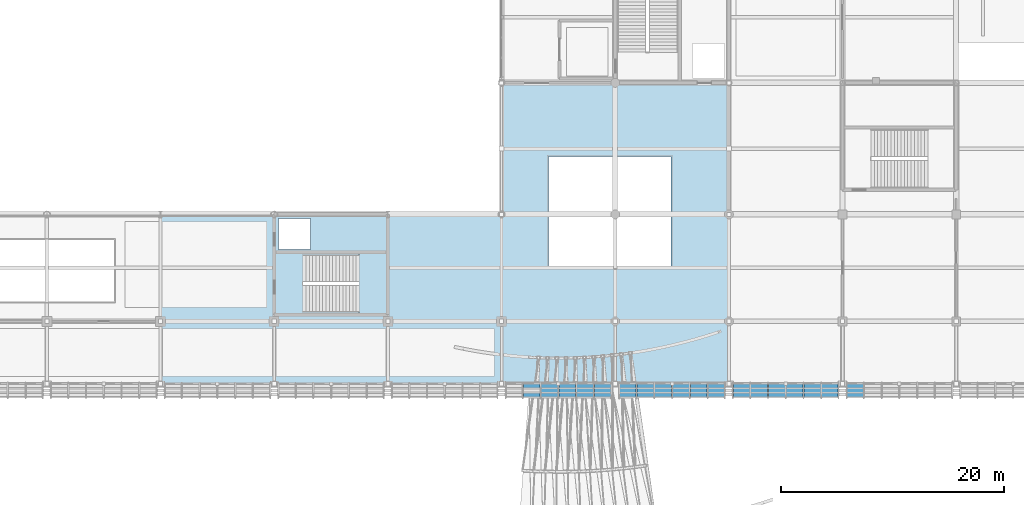
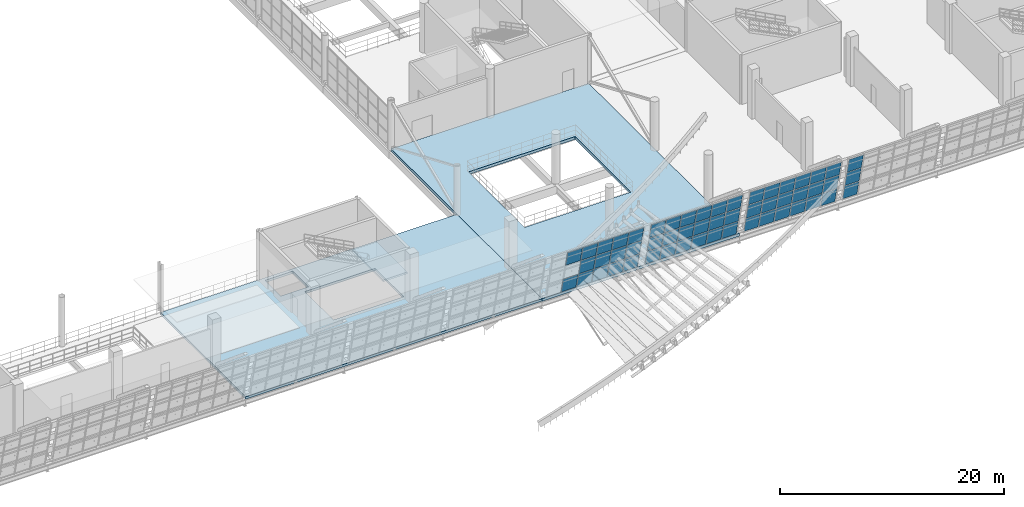
# One storey, part 112 of 175: 53 plates, 3 slabs, 5 elements without a shape of their own.
"""IFC4 building model written with IfcOpenShell, lengths in metres."""

from ifc_helpers import new_model, si_unit, direction, frame, origin, place, context, subcontext, project, spatial, polyline, outline, extrude, material, layer, layer_set, type_object, element, aggregate, save


model = new_model("IFC4")

# Units and contexts
model_context = context("Model", 3, precision=1e-05, world=origin(), true_north=direction((0.0, 1.0)))
body_context = subcontext(model_context, "Body", "Model", "MODEL_VIEW")
ifc_project = project(units=[si_unit("LENGTHUNIT", "METRE"), si_unit("AREAUNIT", "SQUARE_METRE"), si_unit("VOLUMEUNIT", "CUBIC_METRE"), si_unit("PLANEANGLEUNIT", "RADIAN"), si_unit("MASSUNIT", "GRAM", prefix="KILO")], contexts=[model_context])

# Site, building, storey
site_placement = place(None, origin())
site = spatial("IfcSite", under=ifc_project, at=site_placement, CompositionType="ELEMENT")
building_placement = place(site_placement, origin())
building = spatial("IfcBuilding", under=site, at=building_placement, Name="Brelvane Convention Centre", CompositionType="ELEMENT")
storey_placement = place(building_placement, frame((0.0, 0.0, 5.39990234375)))
storey = spatial("IfcBuildingStorey", under=building, at=storey_placement, Name="L01", CompositionType="ELEMENT", Elevation=5.39990234375)

# Curtain wall, plates
ifc_material_1 = material(Name="Anodised Aluminium Alloy 6063-T6", Category="aluminium")
curtain_wall_type = type_object("IfcCurtainWallType", Name="Curtain Wall CW-HULL-S", PredefinedType="USERDEFINED", material=ifc_material_1)
curtain_wall_1_placement = place(storey_placement, origin())
curtain_wall_1 = element("IfcCurtainWall", 1, at=curtain_wall_1_placement, inside=storey, type_object=curtain_wall_type, Name="Curtain Wall CW-HULL-S L01-HULL-S-L01-15", ObjectType="UNITISED", PredefinedType="USERDEFINED")
ifc_material_2 = material(Name="Double Glazed Low-E Laminated Unit")
ifc_layer_1 = layer(ifc_material_2, 0.031982421875)
ifc_layer_set_1 = layer_set([ifc_layer_1], Name="Double Glazed Low-E Laminated Unit")
plate_type_1 = type_object("IfcPlateType", Name="Curtain Panel CW-PG1", PredefinedType="CURTAIN_PANEL", material=ifc_layer_set_1)
plate_1_placement = place(storey_placement, frame((144.75341796875, 12.785400390625, 3.473388671875), z_axis=(0.0, 0.973577021422, 0.228358891569), x_axis=(1.0, 0.0, 0.0)))
plate_1 = element("IfcPlate", 2, at=plate_1_placement, type_object=plate_type_1, Name="CW-HULL-S panel 2.3", PredefinedType="CURTAIN_PANEL", context=body_context, shape_type="SweptSolid", body=[
    extrude(outline(polyline([(0.0, 0.0), (1.51318359375, 0.0), (1.51318359375, -1.640013735294975), (0.0, -1.640013735294975), (0.0, 0.0)])), origin(), (0.0, 0.0, -1.0), 0.031982421875),
])
plate_2_placement = place(storey_placement, frame((146.3466796875, 13.18798828125, 1.7568359375), z_axis=(0.0, 0.973584535906, 0.228326852222), x_axis=(1.0, 0.0, 0.0)))
plate_2 = element("IfcPlate", 3, at=plate_2_placement, type_object=plate_type_1, Name="CW-HULL-S panel 3.2", PredefinedType="CURTAIN_PANEL", context=body_context, shape_type="SweptSolid", body=[
    extrude(outline(polyline([(0.0, 0.0), (1.513427734375, 0.0), (1.513427734375, -1.680875721647406), (0.0, -1.680875721647406), (0.0, 0.0)])), origin(), (0.0, 0.0, -1.0), 0.031982421875),
])
plate_3_placement = place(storey_placement, frame((146.3466796875, 12.785400390625, 3.473388671875), z_axis=(0.0, 0.973577021422, 0.228358891569), x_axis=(1.0, 0.0, 0.0)))
plate_3 = element("IfcPlate", 4, at=plate_3_placement, type_object=plate_type_1, Name="CW-HULL-S panel 3.3", PredefinedType="CURTAIN_PANEL", context=body_context, shape_type="SweptSolid", body=[
    extrude(outline(polyline([(0.0, 0.0), (1.513427734375, 0.0), (1.513427734375, -1.6400137352949753), (0.0, -1.6400137352949753), (0.0, 0.0)])), origin(), (0.0, 0.0, -1.0), 0.031982421875),
])
plate_4_placement = place(storey_placement, frame((147.93994140625, 13.18798828125, 1.7568359375), z_axis=(0.0, 0.973584535906, 0.228326852222), x_axis=(1.0, 0.0, 0.0)))
plate_4 = element("IfcPlate", 5, at=plate_4_placement, type_object=plate_type_1, Name="CW-HULL-S panel 4.2", PredefinedType="CURTAIN_PANEL", context=body_context, shape_type="SweptSolid", body=[
    extrude(outline(polyline([(0.0, 0.0), (1.513427734375, 0.0), (1.513427734375, -1.680875721647406), (0.0, -1.680875721647406), (0.0, 0.0)])), origin(), (0.0, 0.0, -1.0), 0.031982421875),
])
plate_5_placement = place(storey_placement, frame((147.93994140625, 12.785400390625, 3.473388671875), z_axis=(0.0, 0.973577021422, 0.228358891569), x_axis=(1.0, 0.0, 0.0)))
plate_5 = element("IfcPlate", 6, at=plate_5_placement, type_object=plate_type_1, Name="CW-HULL-S panel 4.3", PredefinedType="CURTAIN_PANEL", context=body_context, shape_type="SweptSolid", body=[
    extrude(outline(polyline([(0.0, 0.0), (1.513427734375, 0.0), (1.513427734375, -1.6400137352949753), (0.0, -1.6400137352949753), (0.0, 0.0)])), origin(), (0.0, 0.0, -1.0), 0.031982421875),
])
plate_6_placement = place(storey_placement, frame((149.533447265625, 13.18798828125, 1.7568359375), z_axis=(0.0, 0.973584535906, 0.228326852222), x_axis=(1.0, 0.0, 0.0)))
plate_6 = element("IfcPlate", 7, at=plate_6_placement, type_object=plate_type_1, Name="CW-HULL-S panel 5.2", PredefinedType="CURTAIN_PANEL", context=body_context, shape_type="SweptSolid", body=[
    extrude(outline(polyline([(0.0, 0.0), (1.51318359375, 0.0), (1.51318359375, -1.680875721647406), (0.0, -1.680875721647406), (0.0, 0.0)])), origin(), (0.0, 0.0, -1.0), 0.031982421875),
])
plate_7_placement = place(storey_placement, frame((149.533447265625, 12.785400390625, 3.473388671875), z_axis=(0.0, 0.973577021422, 0.228358891569), x_axis=(1.0, 0.0, 0.0)))
plate_7 = element("IfcPlate", 8, at=plate_7_placement, type_object=plate_type_1, Name="CW-HULL-S panel 5.3", PredefinedType="CURTAIN_PANEL", context=body_context, shape_type="SweptSolid", body=[
    extrude(outline(polyline([(0.0, 0.0), (1.51318359375, 0.0), (1.51318359375, -1.640013735294975), (0.0, -1.640013735294975), (0.0, 0.0)])), origin(), (0.0, 0.0, -1.0), 0.031982421875),
])
plate_8_placement = place(storey_placement, frame((151.126708984375, 13.18798828125, 1.7568359375), z_axis=(0.0, 0.973584535906, 0.228326852222), x_axis=(1.0, 0.0, 0.0)))
plate_8 = element("IfcPlate", 9, at=plate_8_placement, type_object=plate_type_1, Name="CW-HULL-S panel 6.2", PredefinedType="CURTAIN_PANEL", context=body_context, shape_type="SweptSolid", body=[
    extrude(outline(polyline([(0.0, 0.0), (1.473388671875, 0.0), (1.473388671875, -1.680875721647406), (0.0, -1.680875721647406), (0.0, 0.0)])), origin(), (0.0, 0.0, -1.0), 0.031982421875),
])
plate_9_placement = place(storey_placement, frame((151.126708984375, 12.785400390625, 3.473388671875), z_axis=(0.0, 0.973577021422, 0.228358891569), x_axis=(1.0, 0.0, 0.0)))
plate_9 = element("IfcPlate", 10, at=plate_9_placement, type_object=plate_type_1, Name="CW-HULL-S panel 6.3", PredefinedType="CURTAIN_PANEL", context=body_context, shape_type="SweptSolid", body=[
    extrude(outline(polyline([(0.0, 0.0), (1.473388671875, 0.0), (1.473388671875, -1.640013735294975), (0.0, -1.640013735294975), (0.0, 0.0)])), origin(), (0.0, 0.0, -1.0), 0.031982421875),
])

curtain_wall_2_placement = place(storey_placement, origin())
curtain_wall_2 = element("IfcCurtainWall", 11, at=curtain_wall_2_placement, inside=storey, type_object=curtain_wall_type, Name="Curtain Wall CW-HULL-S L01-HULL-S-L01-16", ObjectType="UNITISED", PredefinedType="USERDEFINED")
plate_10_placement = place(storey_placement, frame((153.39990234375, 13.18798828125, 1.7568359375), z_axis=(0.0, 0.973584535906, 0.228326852222), x_axis=(1.0, 0.0, 0.0)))
plate_10 = element("IfcPlate", 12, at=plate_10_placement, type_object=plate_type_1, Name="CW-HULL-S panel 1.2", PredefinedType="CURTAIN_PANEL", context=body_context, shape_type="SweptSolid", body=[
    extrude(outline(polyline([(0.0, 0.0), (1.473388671875, 0.0), (1.473388671875, -1.680875721647406), (0.0, -1.680875721647406), (0.0, 0.0)])), origin(), (0.0, 0.0, -1.0), 0.031982421875),
])
plate_11_placement = place(storey_placement, frame((153.39990234375, 12.785400390625, 3.473388671875), z_axis=(0.0, 0.973577021422, 0.228358891569), x_axis=(1.0, 0.0, 0.0)))
plate_11 = element("IfcPlate", 13, at=plate_11_placement, type_object=plate_type_1, Name="CW-HULL-S panel 1.3", PredefinedType="CURTAIN_PANEL", context=body_context, shape_type="SweptSolid", body=[
    extrude(outline(polyline([(0.0, 0.0), (1.473388671875, 0.0), (1.473388671875, -1.640013735294975), (0.0, -1.640013735294975), (0.0, 0.0)])), origin(), (0.0, 0.0, -1.0), 0.031982421875),
])
plate_12_placement = place(storey_placement, frame((154.953369140625, 13.18798828125, 1.7568359375), z_axis=(0.0, 0.973584535906, 0.228326852222), x_axis=(1.0, 0.0, 0.0)))
plate_12 = element("IfcPlate", 14, at=plate_12_placement, type_object=plate_type_1, Name="CW-HULL-S panel 2.2", PredefinedType="CURTAIN_PANEL", context=body_context, shape_type="SweptSolid", body=[
    extrude(outline(polyline([(0.0, 0.0), (1.51318359375, 0.0), (1.51318359375, -1.680875721647406), (0.0, -1.680875721647406), (0.0, 0.0)])), origin(), (0.0, 0.0, -1.0), 0.031982421875),
])
plate_13_placement = place(storey_placement, frame((154.953369140625, 12.785400390625, 3.473388671875), z_axis=(0.0, 0.973577021422, 0.228358891569), x_axis=(1.0, 0.0, 0.0)))
plate_13 = element("IfcPlate", 15, at=plate_13_placement, type_object=plate_type_1, Name="CW-HULL-S panel 2.3", PredefinedType="CURTAIN_PANEL", context=body_context, shape_type="SweptSolid", body=[
    extrude(outline(polyline([(0.0, 0.0), (1.51318359375, 0.0), (1.51318359375, -1.640013735294975), (0.0, -1.640013735294975), (0.0, 0.0)])), origin(), (0.0, 0.0, -1.0), 0.031982421875),
])
plate_14_placement = place(storey_placement, frame((156.546630859375, 13.18798828125, 1.7568359375), z_axis=(0.0, 0.973584535906, 0.228326852222), x_axis=(1.0, 0.0, 0.0)))
plate_14 = element("IfcPlate", 16, at=plate_14_placement, type_object=plate_type_1, Name="CW-HULL-S panel 3.2", PredefinedType="CURTAIN_PANEL", context=body_context, shape_type="SweptSolid", body=[
    extrude(outline(polyline([(0.0, 0.0), (1.513427734375, 0.0), (1.513427734375, -1.680875721647406), (0.0, -1.680875721647406), (0.0, 0.0)])), origin(), (0.0, 0.0, -1.0), 0.031982421875),
])
plate_15_placement = place(storey_placement, frame((156.546630859375, 12.785400390625, 3.473388671875), z_axis=(0.0, 0.973577021422, 0.228358891569), x_axis=(1.0, 0.0, 0.0)))
plate_15 = element("IfcPlate", 17, at=plate_15_placement, type_object=plate_type_1, Name="CW-HULL-S panel 3.3", PredefinedType="CURTAIN_PANEL", context=body_context, shape_type="SweptSolid", body=[
    extrude(outline(polyline([(0.0, 0.0), (1.513427734375, 0.0), (1.513427734375, -1.6400137352949753), (0.0, -1.6400137352949753), (0.0, 0.0)])), origin(), (0.0, 0.0, -1.0), 0.031982421875),
])
plate_16_placement = place(storey_placement, frame((158.139892578125, 13.18798828125, 1.7568359375), z_axis=(0.0, 0.973584535906, 0.228326852222), x_axis=(1.0, 0.0, 0.0)))
plate_16 = element("IfcPlate", 18, at=plate_16_placement, type_object=plate_type_1, Name="CW-HULL-S panel 4.2", PredefinedType="CURTAIN_PANEL", context=body_context, shape_type="SweptSolid", body=[
    extrude(outline(polyline([(0.0, 0.0), (1.513427734375, 0.0), (1.513427734375, -1.680875721647406), (0.0, -1.680875721647406), (0.0, 0.0)])), origin(), (0.0, 0.0, -1.0), 0.031982421875),
])
plate_17_placement = place(storey_placement, frame((158.139892578125, 12.785400390625, 3.473388671875), z_axis=(0.0, 0.973577021422, 0.228358891569), x_axis=(1.0, 0.0, 0.0)))
plate_17 = element("IfcPlate", 19, at=plate_17_placement, type_object=plate_type_1, Name="CW-HULL-S panel 4.3", PredefinedType="CURTAIN_PANEL", context=body_context, shape_type="SweptSolid", body=[
    extrude(outline(polyline([(0.0, 0.0), (1.513427734375, 0.0), (1.513427734375, -1.6400137352949753), (0.0, -1.6400137352949753), (0.0, 0.0)])), origin(), (0.0, 0.0, -1.0), 0.031982421875),
])
plate_18_placement = place(storey_placement, frame((159.7333984375, 13.18798828125, 1.7568359375), z_axis=(0.0, 0.973584535906, 0.228326852222), x_axis=(1.0, 0.0, 0.0)))
plate_18 = element("IfcPlate", 20, at=plate_18_placement, type_object=plate_type_1, Name="CW-HULL-S panel 5.2", PredefinedType="CURTAIN_PANEL", context=body_context, shape_type="SweptSolid", body=[
    extrude(outline(polyline([(0.0, 0.0), (1.51318359375, 0.0), (1.51318359375, -1.680875721647406), (0.0, -1.680875721647406), (0.0, 0.0)])), origin(), (0.0, 0.0, -1.0), 0.031982421875),
])
plate_19_placement = place(storey_placement, frame((159.7333984375, 12.785400390625, 3.473388671875), z_axis=(0.0, 0.973577021422, 0.228358891569), x_axis=(1.0, 0.0, 0.0)))
plate_19 = element("IfcPlate", 21, at=plate_19_placement, type_object=plate_type_1, Name="CW-HULL-S panel 5.3", PredefinedType="CURTAIN_PANEL", context=body_context, shape_type="SweptSolid", body=[
    extrude(outline(polyline([(0.0, 0.0), (1.51318359375, 0.0), (1.51318359375, -1.640013735294975), (0.0, -1.640013735294975), (0.0, 0.0)])), origin(), (0.0, 0.0, -1.0), 0.031982421875),
])
plate_20_placement = place(storey_placement, frame((161.32666015625, 13.18798828125, 1.7568359375), z_axis=(0.0, 0.973584535906, 0.228326852222), x_axis=(1.0, 0.0, 0.0)))
plate_20 = element("IfcPlate", 22, at=plate_20_placement, type_object=plate_type_1, Name="CW-HULL-S panel 6.2", PredefinedType="CURTAIN_PANEL", context=body_context, shape_type="SweptSolid", body=[
    extrude(outline(polyline([(0.0, 0.0), (1.473388671875, 0.0), (1.473388671875, -1.680875721647406), (0.0, -1.680875721647406), (0.0, 0.0)])), origin(), (0.0, 0.0, -1.0), 0.031982421875),
])
plate_21_placement = place(storey_placement, frame((161.32666015625, 12.785400390625, 3.473388671875), z_axis=(0.0, 0.973577021422, 0.228358891569), x_axis=(1.0, 0.0, 0.0)))
plate_21 = element("IfcPlate", 23, at=plate_21_placement, type_object=plate_type_1, Name="CW-HULL-S panel 6.3", PredefinedType="CURTAIN_PANEL", context=body_context, shape_type="SweptSolid", body=[
    extrude(outline(polyline([(0.0, 0.0), (1.473388671875, 0.0), (1.473388671875, -1.640013735294975), (0.0, -1.640013735294975), (0.0, 0.0)])), origin(), (0.0, 0.0, -1.0), 0.031982421875),
])

curtain_wall_3_placement = place(storey_placement, origin())
curtain_wall_3 = element("IfcCurtainWall", 24, at=curtain_wall_3_placement, inside=storey, type_object=curtain_wall_type, Name="Curtain Wall CW-HULL-S L01-HULL-S-L01-17", ObjectType="UNITISED", PredefinedType="USERDEFINED")
plate_22_placement = place(storey_placement, frame((163.60009765625, 13.18798828125, 1.7568359375), z_axis=(0.0, 0.973584535906, 0.228326852222), x_axis=(1.0, 0.0, 0.0)))
plate_22 = element("IfcPlate", 25, at=plate_22_placement, type_object=plate_type_1, Name="CW-HULL-S panel 1.2", PredefinedType="CURTAIN_PANEL", context=body_context, shape_type="SweptSolid", body=[
    extrude(outline(polyline([(0.0, 0.0), (1.47314453125, 0.0), (1.47314453125, -1.680875721647406), (0.0, -1.680875721647406), (0.0, 0.0)])), origin(), (0.0, 0.0, -1.0), 0.031982421875),
])
plate_23_placement = place(storey_placement, frame((163.60009765625, 12.785400390625, 3.473388671875), z_axis=(0.0, 0.973577021422, 0.228358891569), x_axis=(1.0, 0.0, 0.0)))
plate_23 = element("IfcPlate", 26, at=plate_23_placement, type_object=plate_type_1, Name="CW-HULL-S panel 1.3", PredefinedType="CURTAIN_PANEL", context=body_context, shape_type="SweptSolid", body=[
    extrude(outline(polyline([(0.0, 0.0), (1.47314453125, 0.0), (1.47314453125, -1.6400137352949753), (0.0, -1.6400137352949753), (0.0, 0.0)])), origin(), (0.0, 0.0, -1.0), 0.031982421875),
])
plate_24_placement = place(storey_placement, frame((165.1533203125, 13.18798828125, 1.7568359375), z_axis=(0.0, 0.973584535906, 0.228326852222), x_axis=(1.0, 0.0, 0.0)))
plate_24 = element("IfcPlate", 27, at=plate_24_placement, type_object=plate_type_1, Name="CW-HULL-S panel 2.2", PredefinedType="CURTAIN_PANEL", context=body_context, shape_type="SweptSolid", body=[
    extrude(outline(polyline([(0.0, 0.0), (1.513427734375, 0.0), (1.513427734375, -1.680875721647406), (0.0, -1.680875721647406), (0.0, 0.0)])), origin(), (0.0, 0.0, -1.0), 0.031982421875),
])
plate_25_placement = place(storey_placement, frame((165.1533203125, 12.785400390625, 3.473388671875), z_axis=(0.0, 0.973577021422, 0.228358891569), x_axis=(1.0, 0.0, 0.0)))
plate_25 = element("IfcPlate", 28, at=plate_25_placement, type_object=plate_type_1, Name="CW-HULL-S panel 2.3", PredefinedType="CURTAIN_PANEL", context=body_context, shape_type="SweptSolid", body=[
    extrude(outline(polyline([(0.0, 0.0), (1.513427734375, 0.0), (1.513427734375, -1.6400137352949753), (0.0, -1.6400137352949753), (0.0, 0.0)])), origin(), (0.0, 0.0, -1.0), 0.031982421875),
])
plate_26_placement = place(storey_placement, frame((166.74658203125, 13.18798828125, 1.7568359375), z_axis=(0.0, 0.973584535906, 0.228326852222), x_axis=(1.0, 0.0, 0.0)))
plate_26 = element("IfcPlate", 29, at=plate_26_placement, type_object=plate_type_1, Name="CW-HULL-S panel 3.2", PredefinedType="CURTAIN_PANEL", context=body_context, shape_type="SweptSolid", body=[
    extrude(outline(polyline([(0.0, 0.0), (1.513427734375, 0.0), (1.513427734375, -1.680875721647406), (0.0, -1.680875721647406), (0.0, 0.0)])), origin(), (0.0, 0.0, -1.0), 0.031982421875),
])
plate_27_placement = place(storey_placement, frame((166.74658203125, 12.785400390625, 3.473388671875), z_axis=(0.0, 0.973577021422, 0.228358891569), x_axis=(1.0, 0.0, 0.0)))
plate_27 = element("IfcPlate", 30, at=plate_27_placement, type_object=plate_type_1, Name="CW-HULL-S panel 3.3", PredefinedType="CURTAIN_PANEL", context=body_context, shape_type="SweptSolid", body=[
    extrude(outline(polyline([(0.0, 0.0), (1.513427734375, 0.0), (1.513427734375, -1.6400137352949753), (0.0, -1.6400137352949753), (0.0, 0.0)])), origin(), (0.0, 0.0, -1.0), 0.031982421875),
])
plate_28_placement = place(storey_placement, frame((168.340087890625, 13.18798828125, 1.7568359375), z_axis=(0.0, 0.973584535906, 0.228326852222), x_axis=(1.0, 0.0, 0.0)))
plate_28 = element("IfcPlate", 31, at=plate_28_placement, type_object=plate_type_1, Name="CW-HULL-S panel 4.2", PredefinedType="CURTAIN_PANEL", context=body_context, shape_type="SweptSolid", body=[
    extrude(outline(polyline([(0.0, 0.0), (1.51318359375, 0.0), (1.51318359375, -1.680875721647406), (0.0, -1.680875721647406), (0.0, 0.0)])), origin(), (0.0, 0.0, -1.0), 0.031982421875),
])
plate_29_placement = place(storey_placement, frame((168.340087890625, 12.785400390625, 3.473388671875), z_axis=(0.0, 0.973577021422, 0.228358891569), x_axis=(1.0, 0.0, 0.0)))
plate_29 = element("IfcPlate", 32, at=plate_29_placement, type_object=plate_type_1, Name="CW-HULL-S panel 4.3", PredefinedType="CURTAIN_PANEL", context=body_context, shape_type="SweptSolid", body=[
    extrude(outline(polyline([(0.0, 0.0), (1.51318359375, 0.0), (1.51318359375, -1.640013735294975), (0.0, -1.640013735294975), (0.0, 0.0)])), origin(), (0.0, 0.0, -1.0), 0.031982421875),
])
plate_30_placement = place(storey_placement, frame((169.933349609375, 13.18798828125, 1.7568359375), z_axis=(0.0, 0.973584535906, 0.228326852222), x_axis=(1.0, 0.0, 0.0)))
plate_30 = element("IfcPlate", 33, at=plate_30_placement, type_object=plate_type_1, Name="CW-HULL-S panel 5.2", PredefinedType="CURTAIN_PANEL", context=body_context, shape_type="SweptSolid", body=[
    extrude(outline(polyline([(0.0, 0.0), (1.513427734375, 0.0), (1.513427734375, -1.680875721647406), (0.0, -1.680875721647406), (0.0, 0.0)])), origin(), (0.0, 0.0, -1.0), 0.031982421875),
])
plate_31_placement = place(storey_placement, frame((169.933349609375, 12.785400390625, 3.473388671875), z_axis=(0.0, 0.973577021422, 0.228358891569), x_axis=(1.0, 0.0, 0.0)))
plate_31 = element("IfcPlate", 34, at=plate_31_placement, type_object=plate_type_1, Name="CW-HULL-S panel 5.3", PredefinedType="CURTAIN_PANEL", context=body_context, shape_type="SweptSolid", body=[
    extrude(outline(polyline([(0.0, 0.0), (1.513427734375, 0.0), (1.513427734375, -1.6400137352949753), (0.0, -1.6400137352949753), (0.0, 0.0)])), origin(), (0.0, 0.0, -1.0), 0.031982421875),
])
plate_32_placement = place(storey_placement, frame((171.526611328125, 13.18798828125, 1.7568359375), z_axis=(0.0, 0.973584535906, 0.228326852222), x_axis=(1.0, 0.0, 0.0)))
plate_32 = element("IfcPlate", 35, at=plate_32_placement, type_object=plate_type_1, Name="CW-HULL-S panel 6.2", PredefinedType="CURTAIN_PANEL", context=body_context, shape_type="SweptSolid", body=[
    extrude(outline(polyline([(0.0, 0.0), (1.473388671875, 0.0), (1.473388671875, -1.680875721647406), (0.0, -1.680875721647406), (0.0, 0.0)])), origin(), (0.0, 0.0, -1.0), 0.031982421875),
])
plate_33_placement = place(storey_placement, frame((171.526611328125, 12.785400390625, 3.473388671875), z_axis=(0.0, 0.973577021422, 0.228358891569), x_axis=(1.0, 0.0, 0.0)))
plate_33 = element("IfcPlate", 36, at=plate_33_placement, type_object=plate_type_1, Name="CW-HULL-S panel 6.3", PredefinedType="CURTAIN_PANEL", context=body_context, shape_type="SweptSolid", body=[
    extrude(outline(polyline([(0.0, 0.0), (1.473388671875, 0.0), (1.473388671875, -1.640013735294975), (0.0, -1.640013735294975), (0.0, 0.0)])), origin(), (0.0, 0.0, -1.0), 0.031982421875),
])

curtain_wall_4_placement = place(storey_placement, origin())
curtain_wall_4 = element("IfcCurtainWall", 37, at=curtain_wall_4_placement, inside=storey, type_object=curtain_wall_type, Name="Curtain Wall CW-HULL-S L01-HULL-S-L01-18", ObjectType="UNITISED", PredefinedType="USERDEFINED")
plate_34_placement = place(storey_placement, frame((173.800048828125, 13.18798828125, 1.7568359375), z_axis=(0.0, 0.973584535906, 0.228326852222), x_axis=(1.0, 0.0, 0.0)))
plate_34 = element("IfcPlate", 38, at=plate_34_placement, type_object=plate_type_1, Name="CW-HULL-S panel 1.2", PredefinedType="CURTAIN_PANEL", context=body_context, shape_type="SweptSolid", body=[
    extrude(outline(polyline([(0.0, 0.0), (1.473388671875, 0.0), (1.473388671875, -1.680875721647406), (0.0, -1.680875721647406), (0.0, 0.0)])), origin(), (0.0, 0.0, -1.0), 0.031982421875),
])
plate_35_placement = place(storey_placement, frame((173.800048828125, 12.785400390625, 3.473388671875), z_axis=(0.0, 0.973577021422, 0.228358891569), x_axis=(1.0, 0.0, 0.0)))
plate_35 = element("IfcPlate", 39, at=plate_35_placement, type_object=plate_type_1, Name="CW-HULL-S panel 1.3", PredefinedType="CURTAIN_PANEL", context=body_context, shape_type="SweptSolid", body=[
    extrude(outline(polyline([(0.0, 0.0), (1.473388671875, 0.0), (1.473388671875, -1.640013735294975), (0.0, -1.640013735294975), (0.0, 0.0)])), origin(), (0.0, 0.0, -1.0), 0.031982421875),
])

# Plate
ifc_material_3 = material(Name="Patinated Copper-Bronze Alloy C22000")
ifc_layer_2 = layer(ifc_material_3, 0.048095703125)
ifc_layer_set_2 = layer_set([ifc_layer_2], Name="Patinated Copper-Bronze Alloy C22000")
plate_type_2 = type_object("IfcPlateType", Name="Curtain Panel CW-PS1", PredefinedType="CURTAIN_PANEL", material=ifc_layer_set_2)
plate_36_placement = place(storey_placement, frame((144.75341796875, 13.581298828125, 0.080078125), z_axis=(0.0, 0.973577021422, 0.228358891569), x_axis=(1.0, 0.0, 0.0)))
plate_36 = element("IfcPlate", 40, at=plate_36_placement, type_object=plate_type_2, Name="CW-HULL-S panel 2.1", PredefinedType="CURTAIN_PANEL", context=body_context, shape_type="SweptSolid", body=[
    extrude(outline(polyline([(0.0, 0.0), (1.51318359375, 0.0), (1.51318359375, -1.640013735294975), (0.0, -1.640013735294975), (0.0, 0.0)])), origin(), (0.0, 0.0, -1.0), 0.031982421875),
])

plate_37_placement = place(storey_placement, frame((146.3466796875, 13.581298828125, 0.080078125), z_axis=(0.0, 0.973577021422, 0.228358891569), x_axis=(1.0, 0.0, 0.0)))
plate_37 = element("IfcPlate", 41, at=plate_37_placement, type_object=plate_type_2, Name="CW-HULL-S panel 3.1", PredefinedType="CURTAIN_PANEL", context=body_context, shape_type="SweptSolid", body=[
    extrude(outline(polyline([(0.0, 0.0), (1.513427734375, 0.0), (1.513427734375, -1.6400137352949753), (0.0, -1.6400137352949753), (0.0, 0.0)])), origin(), (0.0, 0.0, -1.0), 0.031982421875),
])

plate_38_placement = place(storey_placement, frame((147.93994140625, 13.581298828125, 0.080078125), z_axis=(0.0, 0.973577021422, 0.228358891569), x_axis=(1.0, 0.0, 0.0)))
plate_38 = element("IfcPlate", 42, at=plate_38_placement, type_object=plate_type_2, Name="CW-HULL-S panel 4.1", PredefinedType="CURTAIN_PANEL", context=body_context, shape_type="SweptSolid", body=[
    extrude(outline(polyline([(0.0, 0.0), (1.513427734375, 0.0), (1.513427734375, -1.6400137352949753), (0.0, -1.6400137352949753), (0.0, 0.0)])), origin(), (0.0, 0.0, -1.0), 0.031982421875),
])

plate_39_placement = place(storey_placement, frame((149.533447265625, 13.581298828125, 0.080078125), z_axis=(0.0, 0.973577021422, 0.228358891569), x_axis=(1.0, 0.0, 0.0)))
plate_39 = element("IfcPlate", 43, at=plate_39_placement, type_object=plate_type_2, Name="CW-HULL-S panel 5.1", PredefinedType="CURTAIN_PANEL", context=body_context, shape_type="SweptSolid", body=[
    extrude(outline(polyline([(0.0, 0.0), (1.51318359375, 0.0), (1.51318359375, -1.640013735294975), (0.0, -1.640013735294975), (0.0, 0.0)])), origin(), (0.0, 0.0, -1.0), 0.031982421875),
])

plate_40_placement = place(storey_placement, frame((151.126708984375, 13.581298828125, 0.080078125), z_axis=(0.0, 0.973577021422, 0.228358891569), x_axis=(1.0, 0.0, 0.0)))
plate_40 = element("IfcPlate", 44, at=plate_40_placement, type_object=plate_type_2, Name="CW-HULL-S panel 6.1", PredefinedType="CURTAIN_PANEL", context=body_context, shape_type="SweptSolid", body=[
    extrude(outline(polyline([(0.0, 0.0), (1.473388671875, 0.0), (1.473388671875, -1.640013735294975), (0.0, -1.640013735294975), (0.0, 0.0)])), origin(), (0.0, 0.0, -1.0), 0.031982421875),
])

aggregate(curtain_wall_1, [plate_36, plate_1, plate_37, plate_2, plate_3, plate_38, plate_4, plate_5, plate_39, plate_6, plate_7, plate_40, plate_8, plate_9])

plate_41_placement = place(storey_placement, frame((153.39990234375, 13.581298828125, 0.080078125), z_axis=(0.0, 0.973577021422, 0.228358891569), x_axis=(1.0, 0.0, 0.0)))
plate_41 = element("IfcPlate", 45, at=plate_41_placement, type_object=plate_type_2, Name="CW-HULL-S panel 1.1", PredefinedType="CURTAIN_PANEL", context=body_context, shape_type="SweptSolid", body=[
    extrude(outline(polyline([(0.0, 0.0), (1.473388671875, 0.0), (1.473388671875, -1.640013735294975), (0.0, -1.640013735294975), (0.0, 0.0)])), origin(), (0.0, 0.0, -1.0), 0.031982421875),
])

plate_42_placement = place(storey_placement, frame((154.953369140625, 13.581298828125, 0.080078125), z_axis=(0.0, 0.973577021422, 0.228358891569), x_axis=(1.0, 0.0, 0.0)))
plate_42 = element("IfcPlate", 46, at=plate_42_placement, type_object=plate_type_2, Name="CW-HULL-S panel 2.1", PredefinedType="CURTAIN_PANEL", context=body_context, shape_type="SweptSolid", body=[
    extrude(outline(polyline([(0.0, 0.0), (1.51318359375, 0.0), (1.51318359375, -1.640013735294975), (0.0, -1.640013735294975), (0.0, 0.0)])), origin(), (0.0, 0.0, -1.0), 0.031982421875),
])

plate_43_placement = place(storey_placement, frame((156.546630859375, 13.581298828125, 0.080078125), z_axis=(0.0, 0.973577021422, 0.228358891569), x_axis=(1.0, 0.0, 0.0)))
plate_43 = element("IfcPlate", 47, at=plate_43_placement, type_object=plate_type_2, Name="CW-HULL-S panel 3.1", PredefinedType="CURTAIN_PANEL", context=body_context, shape_type="SweptSolid", body=[
    extrude(outline(polyline([(0.0, 0.0), (1.513427734375, 0.0), (1.513427734375, -1.6400137352949753), (0.0, -1.6400137352949753), (0.0, 0.0)])), origin(), (0.0, 0.0, -1.0), 0.031982421875),
])

plate_44_placement = place(storey_placement, frame((158.139892578125, 13.581298828125, 0.080078125), z_axis=(0.0, 0.973577021422, 0.228358891569), x_axis=(1.0, 0.0, 0.0)))
plate_44 = element("IfcPlate", 48, at=plate_44_placement, type_object=plate_type_2, Name="CW-HULL-S panel 4.1", PredefinedType="CURTAIN_PANEL", context=body_context, shape_type="SweptSolid", body=[
    extrude(outline(polyline([(0.0, 0.0), (1.513427734375, 0.0), (1.513427734375, -1.6400137352949753), (0.0, -1.6400137352949753), (0.0, 0.0)])), origin(), (0.0, 0.0, -1.0), 0.031982421875),
])

plate_45_placement = place(storey_placement, frame((159.7333984375, 13.581298828125, 0.080078125), z_axis=(0.0, 0.973577021422, 0.228358891569), x_axis=(1.0, 0.0, 0.0)))
plate_45 = element("IfcPlate", 49, at=plate_45_placement, type_object=plate_type_2, Name="CW-HULL-S panel 5.1", PredefinedType="CURTAIN_PANEL", context=body_context, shape_type="SweptSolid", body=[
    extrude(outline(polyline([(0.0, 0.0), (1.51318359375, 0.0), (1.51318359375, -1.640013735294975), (0.0, -1.640013735294975), (0.0, 0.0)])), origin(), (0.0, 0.0, -1.0), 0.031982421875),
])

plate_46_placement = place(storey_placement, frame((161.32666015625, 13.581298828125, 0.080078125), z_axis=(0.0, 0.973577021422, 0.228358891569), x_axis=(1.0, 0.0, 0.0)))
plate_46 = element("IfcPlate", 50, at=plate_46_placement, type_object=plate_type_2, Name="CW-HULL-S panel 6.1", PredefinedType="CURTAIN_PANEL", context=body_context, shape_type="SweptSolid", body=[
    extrude(outline(polyline([(0.0, 0.0), (1.473388671875, 0.0), (1.473388671875, -1.640013735294975), (0.0, -1.640013735294975), (0.0, 0.0)])), origin(), (0.0, 0.0, -1.0), 0.031982421875),
])

aggregate(curtain_wall_2, [plate_41, plate_10, plate_11, plate_42, plate_12, plate_13, plate_43, plate_14, plate_15, plate_44, plate_16, plate_17, plate_45, plate_18, plate_19, plate_46, plate_20, plate_21])

plate_47_placement = place(storey_placement, frame((163.60009765625, 13.581298828125, 0.080078125), z_axis=(0.0, 0.973577021422, 0.228358891569), x_axis=(1.0, 0.0, 0.0)))
plate_47 = element("IfcPlate", 51, at=plate_47_placement, type_object=plate_type_2, Name="CW-HULL-S panel 1.1", PredefinedType="CURTAIN_PANEL", context=body_context, shape_type="SweptSolid", body=[
    extrude(outline(polyline([(0.0, 0.0), (1.47314453125, 0.0), (1.47314453125, -1.6400137352949753), (0.0, -1.6400137352949753), (0.0, 0.0)])), origin(), (0.0, 0.0, -1.0), 0.031982421875),
])

plate_48_placement = place(storey_placement, frame((165.1533203125, 13.581298828125, 0.080078125), z_axis=(0.0, 0.973577021422, 0.228358891569), x_axis=(1.0, 0.0, 0.0)))
plate_48 = element("IfcPlate", 52, at=plate_48_placement, type_object=plate_type_2, Name="CW-HULL-S panel 2.1", PredefinedType="CURTAIN_PANEL", context=body_context, shape_type="SweptSolid", body=[
    extrude(outline(polyline([(0.0, 0.0), (1.513427734375, 0.0), (1.513427734375, -1.6400137352949753), (0.0, -1.6400137352949753), (0.0, 0.0)])), origin(), (0.0, 0.0, -1.0), 0.031982421875),
])

plate_49_placement = place(storey_placement, frame((166.74658203125, 13.581298828125, 0.080078125), z_axis=(0.0, 0.973577021422, 0.228358891569), x_axis=(1.0, 0.0, 0.0)))
plate_49 = element("IfcPlate", 53, at=plate_49_placement, type_object=plate_type_2, Name="CW-HULL-S panel 3.1", PredefinedType="CURTAIN_PANEL", context=body_context, shape_type="SweptSolid", body=[
    extrude(outline(polyline([(0.0, 0.0), (1.513427734375, 0.0), (1.513427734375, -1.6400137352949753), (0.0, -1.6400137352949753), (0.0, 0.0)])), origin(), (0.0, 0.0, -1.0), 0.031982421875),
])

plate_50_placement = place(storey_placement, frame((168.340087890625, 13.581298828125, 0.080078125), z_axis=(0.0, 0.973577021422, 0.228358891569), x_axis=(1.0, 0.0, 0.0)))
plate_50 = element("IfcPlate", 54, at=plate_50_placement, type_object=plate_type_2, Name="CW-HULL-S panel 4.1", PredefinedType="CURTAIN_PANEL", context=body_context, shape_type="SweptSolid", body=[
    extrude(outline(polyline([(0.0, 0.0), (1.51318359375, 0.0), (1.51318359375, -1.640013735294975), (0.0, -1.640013735294975), (0.0, 0.0)])), origin(), (0.0, 0.0, -1.0), 0.031982421875),
])

plate_51_placement = place(storey_placement, frame((169.933349609375, 13.581298828125, 0.080078125), z_axis=(0.0, 0.973577021422, 0.228358891569), x_axis=(1.0, 0.0, 0.0)))
plate_51 = element("IfcPlate", 55, at=plate_51_placement, type_object=plate_type_2, Name="CW-HULL-S panel 5.1", PredefinedType="CURTAIN_PANEL", context=body_context, shape_type="SweptSolid", body=[
    extrude(outline(polyline([(0.0, 0.0), (1.513427734375, 0.0), (1.513427734375, -1.6400137352949753), (0.0, -1.6400137352949753), (0.0, 0.0)])), origin(), (0.0, 0.0, -1.0), 0.031982421875),
])

plate_52_placement = place(storey_placement, frame((171.526611328125, 13.581298828125, 0.080078125), z_axis=(0.0, 0.973577021422, 0.228358891569), x_axis=(1.0, 0.0, 0.0)))
plate_52 = element("IfcPlate", 56, at=plate_52_placement, type_object=plate_type_2, Name="CW-HULL-S panel 6.1", PredefinedType="CURTAIN_PANEL", context=body_context, shape_type="SweptSolid", body=[
    extrude(outline(polyline([(0.0, 0.0), (1.473388671875, 0.0), (1.473388671875, -1.640013735294975), (0.0, -1.640013735294975), (0.0, 0.0)])), origin(), (0.0, 0.0, -1.0), 0.031982421875),
])

aggregate(curtain_wall_3, [plate_47, plate_22, plate_23, plate_48, plate_24, plate_25, plate_49, plate_26, plate_27, plate_50, plate_28, plate_29, plate_51, plate_30, plate_31, plate_52, plate_32, plate_33])

plate_53_placement = place(storey_placement, frame((173.800048828125, 13.581298828125, 0.080078125), z_axis=(0.0, 0.973577021422, 0.228358891569), x_axis=(1.0, 0.0, 0.0)))
plate_53 = element("IfcPlate", 57, at=plate_53_placement, type_object=plate_type_2, Name="CW-HULL-S panel 1.1", PredefinedType="CURTAIN_PANEL", context=body_context, shape_type="SweptSolid", body=[
    extrude(outline(polyline([(0.0, 0.0), (1.473388671875, 0.0), (1.473388671875, -1.640013735294975), (0.0, -1.640013735294975), (0.0, 0.0)])), origin(), (0.0, 0.0, -1.0), 0.031982421875),
])

aggregate(curtain_wall_4, [plate_53, plate_34, plate_35])

# Stair, slab
ifc_material_4 = material(Name="Concrete M40", Category="concrete")
stair_type = type_object("IfcStairType", Name="Exit Stair ST-CORE", PredefinedType="HALF_TURN_STAIR", material=ifc_material_4)
stair_placement = place(storey_placement, origin())
stair = element("IfcStair", 58, at=stair_placement, inside=storey, type_object=stair_type, Name="Exit Stair ST-02 (L01 to L02)", PredefinedType="HALF_TURN_STAIR")
ifc_material_5 = material(Name="Concrete M40", Category="concrete")
ifc_layer_3 = layer(ifc_material_5, 0.199951171875)
ifc_layer_set_3 = layer_set([ifc_layer_3], Name="Concrete M40")
slab_type_1 = type_object("IfcSlabType", Name="Stair Landing SL-LND-200", PredefinedType="LANDING", material=ifc_layer_set_3)
slab_1_placement = place(storey_placement, frame((0.0, 0.0, 2.5)))
slab_1 = element("IfcSlab", 59, at=slab_1_placement, type_object=slab_type_1, Name="Stair ST-02 L01 Half Landing", PredefinedType="LANDING", context=body_context, shape_type="SweptSolid", body=[
    extrude(outline(polyline([(130.02001953125, 19.8798828125), (132.52001953125, 19.8798828125), (132.52001953125, 25.320068359375), (130.02001953125, 25.320068359375), (130.02001953125, 19.8798828125)])), origin(), (0.0, 0.0, 1.0), 0.2001953125),
])
aggregate(stair, [slab_1])

# Slabs
ifc_material_6 = material(Name="Concrete M40", Category="concrete")
ifc_layer_4 = layer(ifc_material_6, 0.300048828125)
ifc_layer_set_4 = layer_set([ifc_layer_4], Name="Concrete M40")
slab_type_2 = type_object("IfcSlabType", Name="Structural Slab SL-DECK-300", PredefinedType="FLOOR", material=ifc_layer_set_4)
slab_2_placement = place(storey_placement, frame((0.0, 0.0, -0.2998046875)))
element("IfcSlab", 60, at=slab_2_placement, inside=storey, type_object=slab_type_2, Name="L01 Raised Public Deck South Concourse", PredefinedType="FLOOR", context=body_context, shape_type="SweptSolid", body=[
    extrude(outline(polyline([(142.800048828125, 13.60009765625), (163.199951171875, 13.60009765625), (163.199951171875, 40.60009765625), (142.800048828125, 40.60009765625), (142.800048828125, 13.60009765625)]), holes=[polyline([(147.0, 24.0), (158.0, 24.0), (158.0, 34.0), (147.0, 34.0), (147.0, 24.0)])]), origin(), (0.0, 0.0, 1.0), 0.2998046875),
])
ifc_material_7 = material(Name="Concrete M40", Category="concrete")
ifc_layer_5 = layer(ifc_material_7, 0.260009765625)
ifc_layer_set_5 = layer_set([ifc_layer_5], Name="Concrete M40")
slab_type_3 = type_object("IfcSlabType", Name="Structural Slab SL-GAL-260", PredefinedType="FLOOR", material=ifc_layer_set_5)
slab_3_placement = place(storey_placement, frame((0.0, 0.0, -0.260009765625)))
element("IfcSlab", 61, at=slab_3_placement, inside=storey, type_object=slab_type_3, Name="L01 Gallery Slab V1G-E", PredefinedType="FLOOR", context=body_context, shape_type="SweptSolid", body=[
    extrude(outline(polyline([(112.199951171875, 13.60009765625), (142.800048828125, 13.60009765625), (142.800048828125, 28.800048828125), (112.199951171875, 28.800048828125), (112.199951171875, 13.60009765625)]), holes=[polyline([(125.0, 20.050048828125), (132.25, 20.050048828125), (132.25, 25.14990234375), (125.0, 25.14990234375), (125.0, 20.050048828125)]), polyline([(122.800048828125, 25.64990234375), (125.64990234375, 25.64990234375), (125.64990234375, 28.449951171875), (122.800048828125, 28.449951171875), (122.800048828125, 25.64990234375)])]), origin(), (0.0, 0.0, 1.0), 0.260009765625),
])

save(model, "model.ifc")
